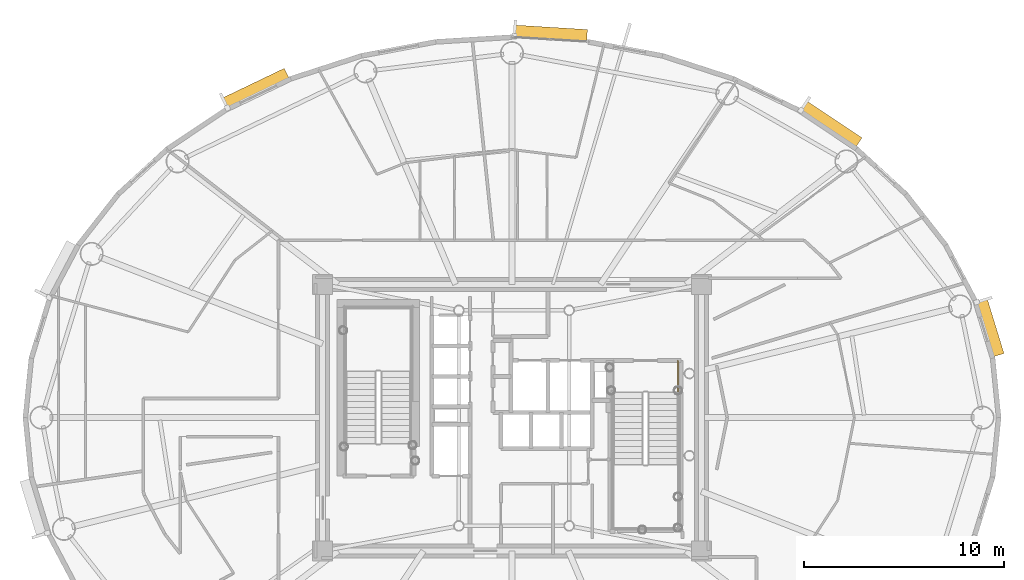
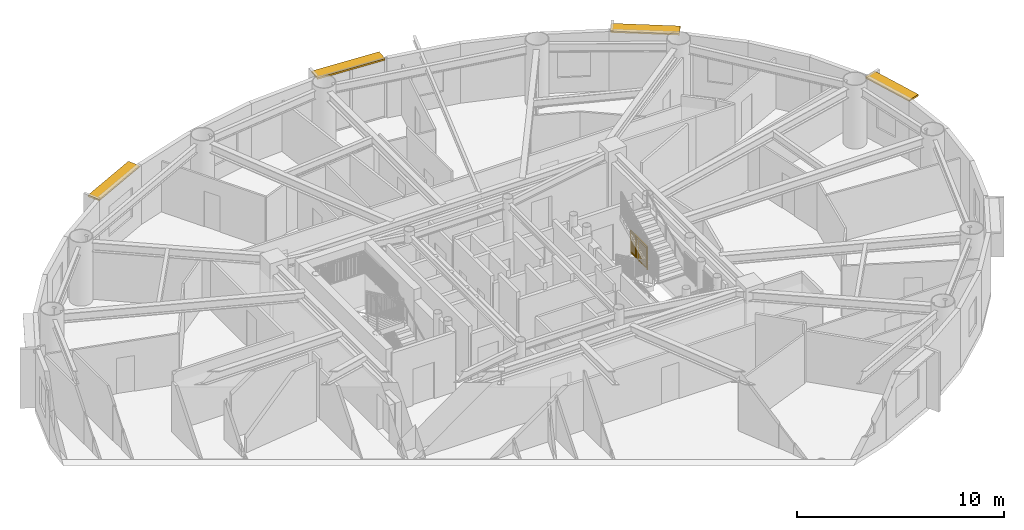
# One storey, part 19 of 19: 4 shading devices, 1 railing.
"""IFC4 building model written with IfcOpenShell, lengths in metres."""

from ifc_helpers import new_model, si_unit, direction, frame, origin, origin_2d, place, context, subcontext, project, spatial, rectangle, extrude, source, transform, mapped, material, layer, layer_set, type_object, element, save


model = new_model("IFC4")

# Units and contexts
model_context = context("Model", 3, precision=1e-05, world=origin(), true_north=direction((0.0, 1.0)))
body_context = subcontext(model_context, "Body", "Model", "MODEL_VIEW")
ifc_project = project(units=[si_unit("LENGTHUNIT", "METRE"), si_unit("AREAUNIT", "SQUARE_METRE"), si_unit("VOLUMEUNIT", "CUBIC_METRE"), si_unit("PLANEANGLEUNIT", "RADIAN"), si_unit("MASSUNIT", "GRAM", prefix="KILO")], contexts=[model_context])

# Site, building, storey
site_placement = place(None, origin())
site = spatial("IfcSite", under=ifc_project, at=site_placement, CompositionType="ELEMENT")
building_placement = place(site_placement, origin())
building = spatial("IfcBuilding", under=site, at=building_placement, Name="Linh Dai School and Residence Tower", CompositionType="ELEMENT")
storey_placement = place(building_placement, frame((0.0, 0.0, 236.550048828125)))
storey = spatial("IfcBuildingStorey", under=building, at=storey_placement, Name="L58", CompositionType="ELEMENT", Elevation=236.550048828125)

# Shading devices
ifc_material_1 = material(Name="Terracotta Ceramic Sunshade", Category="masonry")
ifc_layer = layer(ifc_material_1, 0.10009765625)
ifc_layer_set = layer_set([ifc_layer], Name="Terracotta Ceramic Sunshade")
shading_device_type = type_object("IfcShadingDeviceType", Name="SHD-TC-650", PredefinedType="USERDEFINED", material=ifc_layer_set)
shared_shape_1 = source(origin(), body_context, "Body", "SweptSolid", [
    extrude(rectangle(XDim=2.90380859375, YDim=0.64990234375, at=origin_2d()), origin(), (0.0, 0.0, 1.0), 0.10009765625),
])
shading_device_1_placement = place(storey_placement, frame((59.80615234375, 31.493408203125, 3.3798828125), z_axis=(0.0, 0.0, 1.0), x_axis=(0.2931574026, -0.956064190994, 0.0)))
element("IfcShadingDevice", 1, at=shading_device_1_placement, inside=storey, type_object=shading_device_type, Name="L58 Terracotta Horizontal Sunshade Band 02", ObjectType="SUNSHADE", PredefinedType="USERDEFINED", context=body_context, shape_type="MappedRepresentation", body=[
    mapped(shared_shape_1, transform((0.0, 0.0, 0.0), x_axis=(1.0, 0.0, 0.0), y_axis=(0.0, 1.0, 0.0), z_axis=(0.0, 0.0, 1.0), scale=1.0)),
])
shared_shape_2 = source(origin(), body_context, "Body", "SweptSolid", [
    extrude(rectangle(XDim=3.3447265625, YDim=0.64990234375, at=origin_2d()), origin(), (0.0, 0.0, 1.0), 0.10009765625),
])
shading_device_2_placement = place(storey_placement, frame((51.88671875, 41.6162109375, 3.3798828125), z_axis=(0.0, 0.0, 1.0), x_axis=(0.831257719597, -0.555887222025, 0.0)))
element("IfcShadingDevice", 2, at=shading_device_2_placement, inside=storey, type_object=shading_device_type, Name="L58 Terracotta Horizontal Sunshade Band 06", ObjectType="SUNSHADE", PredefinedType="USERDEFINED", context=body_context, shape_type="MappedRepresentation", body=[
    mapped(shared_shape_2, transform((0.0, 0.0, 0.0), x_axis=(1.0, 0.0, 0.0), y_axis=(0.0, 1.0, 0.0), z_axis=(0.0, 0.0, 1.0), scale=1.0)),
])
shared_shape_3 = source(origin(), body_context, "Body", "SweptSolid", [
    extrude(rectangle(XDim=3.656494140625, YDim=0.64990234375, at=origin_2d()), origin(), (0.0, 0.0, 1.0), 0.10009765625),
])
shading_device_3_placement = place(storey_placement, frame((37.91845703125, 46.147216796875, 3.3798828125), z_axis=(0.0, 0.0, 1.0), x_axis=(0.998106809974, -0.061504437922, 0.0)))
element("IfcShadingDevice", 3, at=shading_device_3_placement, inside=storey, type_object=shading_device_type, Name="L58 Terracotta Horizontal Sunshade Band 10", ObjectType="SUNSHADE", PredefinedType="USERDEFINED", context=body_context, shape_type="MappedRepresentation", body=[
    mapped(shared_shape_3, transform((0.0, 0.0, 0.0), x_axis=(1.0, 0.0, 0.0), y_axis=(0.0, 1.0, 0.0), z_axis=(0.0, 0.0, 1.0), scale=1.0)),
])
shared_shape_4 = source(origin(), body_context, "Body", "SweptSolid", [
    extrude(rectangle(XDim=3.459716796875, YDim=0.64990234375, at=origin_2d()), origin(), (0.0, 0.0, 1.0), 0.10009765625),
])
shading_device_4_placement = place(storey_placement, frame((23.22119140625, 43.384033203125, 3.3798828125), z_axis=(0.0, 0.0, 1.0), x_axis=(0.901588864931, 0.432593941973, 0.0)))
element("IfcShadingDevice", 4, at=shading_device_4_placement, inside=storey, type_object=shading_device_type, Name="L58 Terracotta Horizontal Sunshade Band 14", ObjectType="SUNSHADE", PredefinedType="USERDEFINED", context=body_context, shape_type="MappedRepresentation", body=[
    mapped(shared_shape_4, transform((0.0, 0.0, 0.0), x_axis=(1.0, 0.0, 0.0), y_axis=(0.0, 1.0, 0.0), z_axis=(0.0, 0.0, 1.0), scale=1.0)),
])

# Railing
ifc_material_2 = material(Name="Structural Steel S355JR", Category="steel")
railing_type = type_object("IfcRailingType", Name="RL-ST-GUARD-1400", PredefinedType="GUARDRAIL", material=ifc_material_2)
shared_shape_5 = source(origin(), body_context, "Body", "SweptSolid", [
    extrude(rectangle(XDim=0.048095703125, YDim=0.048095703125, at=origin_2d()), frame((0.0, 0.0, 1.3759765625), z_axis=(0.0, -1.0, 0.0), x_axis=(1.0, 0.0, 0.0)), (0.0, 0.0, 1.0), 1.60009765625),
    extrude(rectangle(XDim=0.048095703125, YDim=0.048095703125, at=origin_2d()), frame((0.0, 0.0, 0.10009765625), z_axis=(0.0, -1.0, 0.0), x_axis=(1.0, 0.0, 0.0)), (0.0, 0.0, 1.0), 1.60009765625),
    extrude(rectangle(XDim=0.030029296875, YDim=0.030029296875, at=origin_2d()), frame((0.0, 0.0, 1.239990234375), z_axis=(0.0, -1.0, 0.0), x_axis=(1.0, 0.0, 0.0)), (0.0, 0.0, 1.0), 1.60009765625),
    extrude(rectangle(XDim=0.02001953125, YDim=0.02001953125, at=origin_2d()), frame((0.0, -0.09423828125, 0.10009765625)), (0.0, 0.0, 1.0), 1.251708984375),
    extrude(rectangle(XDim=0.02001953125, YDim=0.02001953125, at=origin_2d()), frame((0.0, -0.188232421875, 0.10009765625)), (0.0, 0.0, 1.0), 1.251708984375),
    extrude(rectangle(XDim=0.02001953125, YDim=0.02001953125, at=origin_2d()), frame((0.0, -0.282470703125, 0.10009765625)), (0.0, 0.0, 1.0), 1.251708984375),
    extrude(rectangle(XDim=0.02001953125, YDim=0.02001953125, at=origin_2d()), frame((0.0, -0.37646484375, 0.10009765625)), (0.0, 0.0, 1.0), 1.251708984375),
    extrude(rectangle(XDim=0.02001953125, YDim=0.02001953125, at=origin_2d()), frame((0.0, -0.470703125, 0.10009765625)), (0.0, 0.0, 1.0), 1.251708984375),
    extrude(rectangle(XDim=0.02001953125, YDim=0.02001953125, at=origin_2d()), frame((0.0, -0.564697265625, 0.10009765625)), (0.0, 0.0, 1.0), 1.251708984375),
    extrude(rectangle(XDim=0.02001953125, YDim=0.02001953125, at=origin_2d()), frame((0.0, -0.658935546875, 0.10009765625)), (0.0, 0.0, 1.0), 1.251708984375),
    extrude(rectangle(XDim=0.02001953125, YDim=0.02001953125, at=origin_2d()), frame((0.0, -0.7529296875, 0.10009765625)), (0.0, 0.0, 1.0), 1.251708984375),
    extrude(rectangle(XDim=0.02001953125, YDim=0.02001953125, at=origin_2d()), frame((0.0, -0.84716796875, 0.10009765625)), (0.0, 0.0, 1.0), 1.251708984375),
    extrude(rectangle(XDim=0.02001953125, YDim=0.02001953125, at=origin_2d()), frame((0.0, -0.941162109375, 0.10009765625)), (0.0, 0.0, 1.0), 1.251708984375),
    extrude(rectangle(XDim=0.02001953125, YDim=0.02001953125, at=origin_2d()), frame((0.0, -1.035400390625, 0.10009765625)), (0.0, 0.0, 1.0), 1.251708984375),
    extrude(rectangle(XDim=0.02001953125, YDim=0.02001953125, at=origin_2d()), frame((0.0, -1.12939453125, 0.10009765625)), (0.0, 0.0, 1.0), 1.251708984375),
    extrude(rectangle(XDim=0.02001953125, YDim=0.02001953125, at=origin_2d()), frame((0.0, -1.2236328125, 0.10009765625)), (0.0, 0.0, 1.0), 1.251708984375),
    extrude(rectangle(XDim=0.02001953125, YDim=0.02001953125, at=origin_2d()), frame((0.0, -1.317626953125, 0.10009765625)), (0.0, 0.0, 1.0), 1.251708984375),
    extrude(rectangle(XDim=0.02001953125, YDim=0.02001953125, at=origin_2d()), frame((0.0, -1.411865234375, 0.10009765625)), (0.0, 0.0, 1.0), 1.251708984375),
    extrude(rectangle(XDim=0.02001953125, YDim=0.02001953125, at=origin_2d()), frame((0.0, -1.505859375, 0.10009765625)), (0.0, 0.0, 1.0), 1.251708984375),
    extrude(rectangle(XDim=0.0419921875, YDim=0.0419921875, at=origin_2d()), origin(), (0.0, 0.0, 1.0), 1.3759765625),
    extrude(rectangle(XDim=0.0419921875, YDim=0.0419921875, at=origin_2d()), frame((0.0, -0.800048828125, 0.0)), (0.0, 0.0, 1.0), 1.3759765625),
    extrude(rectangle(XDim=0.0419921875, YDim=0.0419921875, at=origin_2d()), frame((0.0, -1.60009765625, 0.0)), (0.0, 0.0, 1.0), 1.3759765625),
])
railing_placement = place(storey_placement, frame((44.27001953125, 29.85009765625, 0.0)))
element("IfcRailing", 5, at=railing_placement, inside=storey, type_object=railing_type, Name="L58 ST2 stair guard 9", PredefinedType="GUARDRAIL", context=body_context, shape_type="MappedRepresentation", body=[
    mapped(shared_shape_5, transform((0.0, 0.0, 0.0), x_axis=(1.0, 0.0, 0.0), y_axis=(0.0, 1.0, 0.0), z_axis=(0.0, 0.0, 1.0), scale=1.0)),
])

save(model, "model.ifc")
